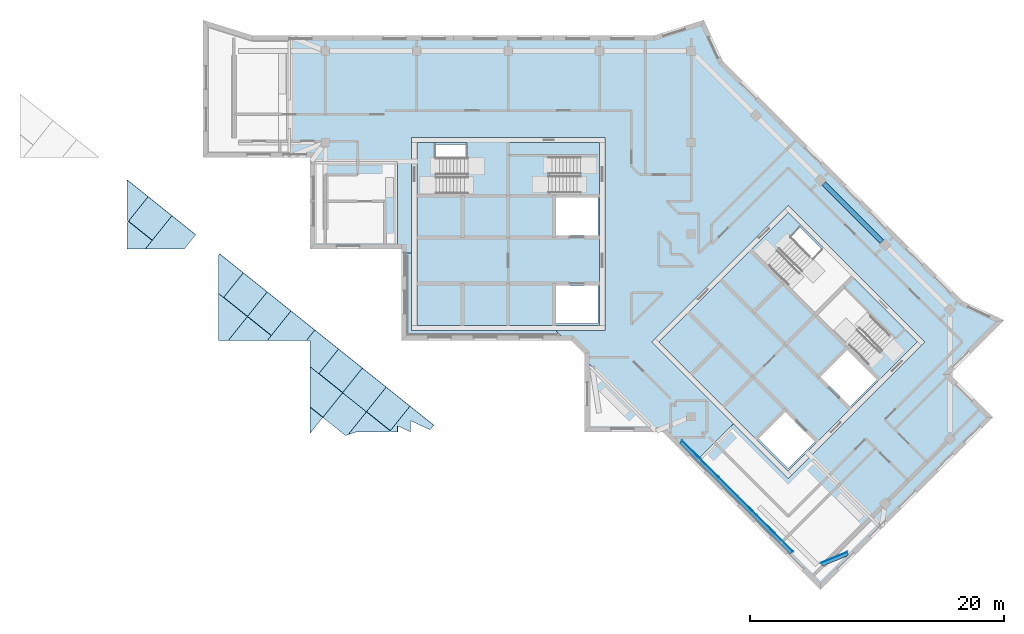
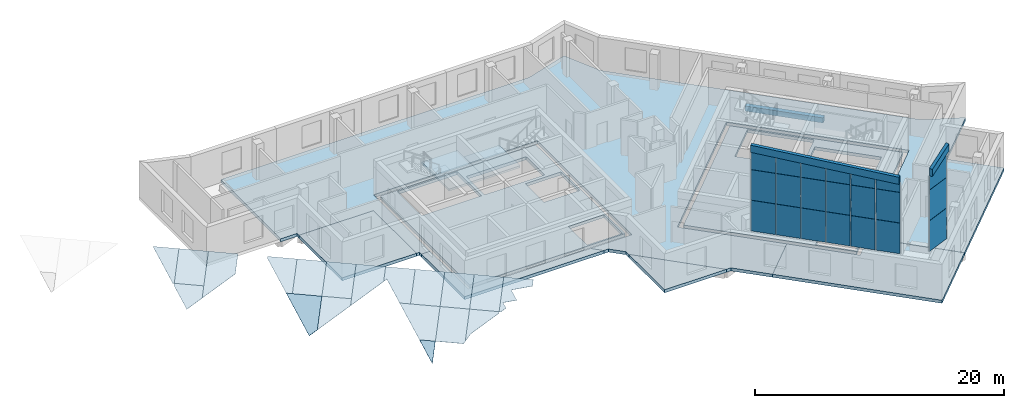
# One storey, part 5 of 13: 42 plates, 9 slabs, 1 beam, 8 openings, 4 elements without a shape of their own.
"""IFC4 building model written with IfcOpenShell, lengths in metres."""

from ifc_helpers import new_model, si_unit, direction, frame, origin, origin_2d, place, context, subcontext, project, spatial, polyline, rectangle, outline, extrude, material, layer, layer_set, material_profile, profile_set, type_object, element, aggregate, save


model = new_model("IFC4")

# Units and contexts
model_context = context("Model", 3, precision=1e-05, world=origin(), true_north=direction((0.0, 1.0)))
body_context = subcontext(model_context, "Body", "Model", "MODEL_VIEW")
ifc_project = project(units=[si_unit("LENGTHUNIT", "METRE"), si_unit("AREAUNIT", "SQUARE_METRE"), si_unit("VOLUMEUNIT", "CUBIC_METRE"), si_unit("PLANEANGLEUNIT", "RADIAN"), si_unit("MASSUNIT", "GRAM", prefix="KILO")], contexts=[model_context])

# Site, building, storey
site_placement = place(None, origin())
site = spatial("IfcSite", under=ifc_project, at=site_placement, CompositionType="ELEMENT")
building_placement = place(site_placement, origin())
building = spatial("IfcBuilding", under=site, at=building_placement, Name="Windrow Commons", CompositionType="ELEMENT")
storey_placement = place(building_placement, frame((0.0, 0.0, 294.4)))
storey = spatial("IfcBuildingStorey", under=building, at=storey_placement, Name="L80", CompositionType="ELEMENT", Elevation=294.4)

# Beam
ifc_material_1 = material(Name="Concrete C40/50", Category="concrete")
ifc_material_profile = material_profile(ifc_material_1, rectangle(XDim=0.4, YDim=0.5, at=origin_2d()))
ifc_profile_set = profile_set([ifc_material_profile], Name="Concrete C40/50")
beam_type = type_object("IfcBeamType", Name="RC EDGE BEAM 400x500 C40/50", PredefinedType="SPANDREL", material=ifc_profile_set)
beam_placement = place(storey_placement, frame((89.6298, 61.5702, -0.55), z_axis=(0.7071067812, -0.7071067812, 0.0), x_axis=(0.7071067812, 0.7071067812, 0.0)))
element("IfcBeam", 1, at=beam_placement, inside=storey, type_object=beam_type, Name="Edge beam L80 011", PredefinedType="SPANDREL", context=body_context, shape_type="SweptSolid", body=[
    extrude(rectangle(XDim=0.4, YDim=0.5, at=origin_2d()), origin(), (0.0, 0.0, 1.0), 6.5),
])

# Slab, openings
ifc_material_2 = material(Name="Concrete C40/50", Category="concrete")
ifc_layer_1 = layer(ifc_material_2, 0.3)
ifc_layer_set_1 = layer_set([ifc_layer_1], Name="CORE FLOOR SLAB 300 C40/50")
slab_type_1 = type_object("IfcSlabType", Name="CORE FLOOR SLAB 300 C40/50", PredefinedType="FLOOR", material=ifc_layer_set_1)
placement_1 = place(storey_placement, frame((0.0, 0.0, -0.3)))
slab_1 = element("IfcSlab", 2, at=placement_1, inside=storey, type_object=slab_type_1, Name="S-L80-core-A", PredefinedType="FLOOR", context=body_context, shape_type="SweptSolid", body=[
    extrude(outline(polyline([(57.6, 64.8), (72.0, 64.8), (72.0, 50.4), (57.6, 50.4), (57.6, 64.8)]), holes=[polyline([(71.85, 50.55), (71.85, 53.55), (68.55, 53.55), (68.55, 50.55), (71.85, 50.55)]), polyline([(71.85, 57.45), (71.85, 60.45), (68.55, 60.45), (68.55, 57.45), (71.85, 57.45)]), polyline([(64.65, 60.75), (64.65, 64.65), (59.1, 64.65), (59.1, 60.75), (64.65, 60.75)]), polyline([(70.5, 60.75), (70.5, 63.705), (64.95, 63.705), (64.95, 60.75), (70.5, 60.75)])]), origin(), (0.0, 0.0, 1.0), 0.3),
])
opening_1_placement = place(placement_1, origin())
element("IfcOpeningElement", 3, at=opening_1_placement, cuts=slab_1, Name="Slab opening S-L80-core-A 1", PredefinedType="OPENING", context=body_context, shape_type="SweptSolid", body=[
    extrude(outline(polyline([(71.845, 50.555), (68.555, 50.555), (68.555, 53.545), (71.845, 53.545), (71.845, 50.555)])), origin(), (0.0, 0.0, 1.0), 0.3),
])
opening_2_placement = place(placement_1, origin())
element("IfcOpeningElement", 4, at=opening_2_placement, cuts=slab_1, Name="Slab opening S-L80-core-A 2", PredefinedType="OPENING", context=body_context, shape_type="SweptSolid", body=[
    extrude(outline(polyline([(71.845, 57.455), (68.555, 57.455), (68.555, 60.445), (71.845, 60.445), (71.845, 57.455)])), origin(), (0.0, 0.0, 1.0), 0.3),
])
opening_3_placement = place(placement_1, origin())
element("IfcOpeningElement", 5, at=opening_3_placement, cuts=slab_1, Name="Slab opening S-L80-core-A 3", PredefinedType="OPENING", context=body_context, shape_type="SweptSolid", body=[
    extrude(outline(polyline([(64.645, 60.755), (59.105, 60.755), (59.105, 64.645), (64.645, 64.645), (64.645, 60.755)])), origin(), (0.0, 0.0, 1.0), 0.3),
])
opening_4_placement = place(placement_1, origin())
element("IfcOpeningElement", 6, at=opening_4_placement, cuts=slab_1, Name="Slab opening S-L80-core-A 4", PredefinedType="OPENING", context=body_context, shape_type="SweptSolid", body=[
    extrude(outline(polyline([(70.495, 60.755), (64.955, 60.755), (64.955, 63.7), (70.495, 63.7), (70.495, 60.755)])), origin(), (0.0, 0.0, 1.0), 0.3),
])

slab_2 = element("IfcSlab", 7, at=placement_1, inside=storey, type_object=slab_type_1, Name="S-L80-core-B", PredefinedType="FLOOR", context=body_context, shape_type="SweptSolid", body=[
    extrude(outline(polyline([(86.8368, 59.2721), (97.0191, 49.0897), (86.8368, 38.9074), (76.6544, 49.0897), (86.8368, 59.2721)]), holes=[polyline([(86.8368, 39.1195), (88.9581, 41.2409), (86.6246, 43.5743), (84.5033, 41.453), (86.8368, 39.1195)]), polyline([(91.7158, 43.9986), (93.8371, 46.1199), (91.5037, 48.4533), (89.3823, 46.332), (91.7158, 43.9986)]), polyline([(88.9581, 51.4232), (91.7158, 54.1809), (87.7913, 58.1054), (85.0336, 55.3476), (88.9581, 51.4232)]), polyline([(93.0946, 47.2866), (95.1841, 49.3761), (91.2597, 53.3006), (89.1702, 51.2111), (93.0946, 47.2866)])]), origin(), (0.0, 0.0, 1.0), 0.3),
])
opening_5_placement = place(placement_1, origin())
element("IfcOpeningElement", 8, at=opening_5_placement, cuts=slab_2, Name="Slab opening S-L80-core-B 1", PredefinedType="OPENING", context=body_context, shape_type="SweptSolid", body=[
    extrude(outline(polyline([(86.8368, 39.1266), (84.5104, 41.453), (86.6246, 43.5672), (88.951, 41.2409), (86.8368, 39.1266)])), origin(), (0.0, 0.0, 1.0), 0.3),
])
opening_6_placement = place(placement_1, origin())
element("IfcOpeningElement", 9, at=opening_6_placement, cuts=slab_2, Name="Slab opening S-L80-core-B 2", PredefinedType="OPENING", context=body_context, shape_type="SweptSolid", body=[
    extrude(outline(polyline([(91.7158, 44.0057), (89.3894, 46.332), (91.5037, 48.4462), (93.83, 46.1199), (91.7158, 44.0057)])), origin(), (0.0, 0.0, 1.0), 0.3),
])
opening_7_placement = place(placement_1, origin())
element("IfcOpeningElement", 10, at=opening_7_placement, cuts=slab_2, Name="Slab opening S-L80-core-B 3", PredefinedType="OPENING", context=body_context, shape_type="SweptSolid", body=[
    extrude(outline(polyline([(88.9581, 51.4303), (85.0407, 55.3476), (87.7913, 58.0983), (91.7087, 54.1809), (88.9581, 51.4303)])), origin(), (0.0, 0.0, 1.0), 0.3),
])
opening_8_placement = place(placement_1, origin())
element("IfcOpeningElement", 11, at=opening_8_placement, cuts=slab_2, Name="Slab opening S-L80-core-B 4", PredefinedType="OPENING", context=body_context, shape_type="SweptSolid", body=[
    extrude(outline(polyline([(93.0946, 47.2937), (89.1773, 51.2111), (91.2597, 53.2935), (95.177, 49.3761), (93.0946, 47.2937)])), origin(), (0.0, 0.0, 1.0), 0.3),
])

# Stair, slab
ifc_material_3 = material(Name="Concrete C40/50", Category="concrete")
stair_type = type_object("IfcStairType", Name="Core stair", PredefinedType="HALF_TURN_STAIR", material=ifc_material_3)
placement_2 = place(storey_placement, origin())
stair_1 = element("IfcStair", 12, at=placement_2, inside=storey, type_object=stair_type, Name="L80 Exit stair A1 core A", PredefinedType="HALF_TURN_STAIR")
ifc_material_4 = material(Name="Concrete C40/50", Category="concrete")
ifc_layer_2 = layer(ifc_material_4, 0.2)
ifc_layer_set_2 = layer_set([ifc_layer_2], Name="Core stair landing")
slab_type_2 = type_object("IfcSlabType", Name="Core stair landing", PredefinedType="LANDING", material=ifc_layer_set_2)
placement_3 = place(storey_placement, frame((0.0, 0.0, 1.7)))
slab_3 = element("IfcSlab", 13, at=placement_3, type_object=slab_type_2, Name="ST-A1 landing 1", PredefinedType="LANDING", context=body_context, shape_type="SweptSolid", body=[
    extrude(outline(polyline([(61.5, 60.5), (64.8, 60.5), (64.8, 64.9), (61.5, 64.9), (61.5, 60.5)])), origin(), (0.0, 0.0, 1.0), 0.2),
])
aggregate(stair_1, [slab_3])

stair_2 = element("IfcStair", 14, at=placement_2, inside=storey, type_object=stair_type, Name="L80 Exit stair A2 core A", PredefinedType="HALF_TURN_STAIR")
slab_4 = element("IfcSlab", 15, at=placement_3, type_object=slab_type_2, Name="ST-A2 landing 1", PredefinedType="LANDING", context=body_context, shape_type="SweptSolid", body=[
    extrude(outline(polyline([(64.8, 60.5), (68.1, 60.5), (68.1, 63.855), (64.8, 63.855), (64.8, 60.5)])), origin(), (0.0, 0.0, 1.0), 0.2),
])
aggregate(stair_2, [slab_4])

# Plates
ifc_material_5 = material(Name="Precast concrete C40/50", Category="concrete")
ifc_layer_3 = layer(ifc_material_5, 0.3)
ifc_layer_set_3 = layer_set([ifc_layer_3], Name="Crown eave fascia 300")
plate_type_1 = type_object("IfcPlateType", Name="Crown eave fascia 300", PredefinedType="SHEET", material=ifc_layer_set_3)
plate_1_placement = place(storey_placement, frame((91.4598, 32.5549, 12.2294), z_axis=(-0.3826477122, 0.9238943275, 0.0), x_axis=(-0.7954192872, -0.3294374274, -0.50870339)))
element("IfcPlate", 16, at=plate_1_placement, inside=storey, type_object=plate_type_1, Name="Crown eave fascia", PredefinedType="SHEET", context=body_context, shape_type="SweptSolid", body=[
    extrude(outline(polyline([(0.0, 0.0), (2.5537, 0.0), (2.1977, 0.6027), (-0.3561, 0.6027), (0.0, 0.0)])), origin(), (0.0, 0.0, -1.0), 0.3),
])
plate_2_placement = place(storey_placement, frame((87.2233, 32.6094, 10.473), z_axis=(0.7071067812, 0.7071067812, 0.0), x_axis=(-0.7051533773, 0.7051533773, 0.0742793982)))
element("IfcPlate", 17, at=plate_2_placement, inside=storey, type_object=plate_type_1, Name="Crown eave fascia", PredefinedType="SHEET", context=body_context, shape_type="SweptSolid", body=[
    extrude(outline(polyline([(0.0, 0.0), (12.3776, 0.0), (12.4296, 0.6981), (0.052, 0.6981), (0.0, 0.0)])), origin(), (0.0, 0.0, -1.0), 0.3),
])
ifc_material_6 = material(Name="Laminated glass in aluminium frame", Category="aluminium")
ifc_layer_4 = layer(ifc_material_6, 0.04)
ifc_layer_set_4 = layer_set([ifc_layer_4], Name="Crown glazing panel 2400x3000")
plate_type_2 = type_object("IfcPlateType", Name="Crown glazing panel 2400x3000", PredefinedType="SHEET", material=ifc_layer_set_4)
plate_3_placement = place(storey_placement, frame((49.2, 43.9521, 1.4754), z_axis=(-0.3493458379, -0.4366606741, 0.8290265022), x_axis=(0.7808537194, -0.6247139096, 0.0)))
element("IfcPlate", 18, at=plate_3_placement, inside=storey, type_object=plate_type_2, Name="Crown glazing 2", PredefinedType="SHEET", context=body_context, shape_type="SweptSolid", body=[
    extrude(outline(polyline([(0.0, 0.0), (1.2931, 0.0), (1.2932, -1.9497), (0.0, 0.0)])), origin(), (0.0, 0.0, -1.0), 0.04),
])
plate_4_placement = place(storey_placement, frame((52.8236, 42.0, 1.9741), z_axis=(-0.3493187645, -0.4366785165, 0.8290285121), x_axis=(-0.8229837273, -0.2800066703, -0.4942611144)))
element("IfcPlate", 19, at=plate_4_placement, inside=storey, type_object=plate_type_2, Name="Crown glazing 3", PredefinedType="SHEET", context=body_context, shape_type="SweptSolid", body=[
    extrude(outline(polyline([(0.0, 0.0), (0.761, 0.0), (-1.6969, -1.3006), (-2.8194, 0.8207), (-2.6995, 0.8841), (0.0, 0.0)])), origin(), (0.0, 0.0, -1.0), 0.04),
])
plate_5_placement = place(storey_placement, frame((51.9933, 41.7175, 1.4754), z_axis=(-0.3493386062, -0.4366588504, 0.82903051), x_axis=(-0.7808774078, 0.6246842991, -2.01408e-05)))
element("IfcPlate", 20, at=plate_5_placement, inside=storey, type_object=plate_type_2, Name="Crown glazing 4", PredefinedType="SHEET", context=body_context, shape_type="SweptSolid", body=[
    extrude(outline(polyline([(0.0, 0.0), (2.2841, 0.0), (2.284, -3.0), (-0.116, -2.9999), (-0.1159, -0.2191), (0.0, 0.0)])), origin(), (0.0, 0.0, -1.0), 0.04),
])
plate_6_placement = place(storey_placement, frame((42.7603, 49.2, 1.5261), z_axis=(-0.349317541, -0.4366525438, 0.8290427079), x_axis=(0.5178988739, 0.6473735923, 0.5591852899)))
element("IfcPlate", 21, at=plate_6_placement, inside=storey, type_object=plate_type_2, Name="Crown glazing 5", PredefinedType="SHEET", context=body_context, shape_type="SweptSolid", body=[
    extrude(outline(polyline([(0.0, 0.0), (2.9094, 0.0), (2.9094, -2.4), (2.3159, -2.4), (0.0, 0.0)])), origin(), (0.0, 0.0, -1.0), 0.04),
])
plate_7_placement = place(storey_placement, frame((34.8, 56.4, 1.9641), z_axis=(-0.3493539663, -0.4366762269, 0.8290148847), x_axis=(-7.4623e-06, 0.8847643728, 0.4660386299)))
element("IfcPlate", 22, at=plate_7_placement, inside=storey, type_object=plate_type_2, Name="Crown glazing 6", PredefinedType="SHEET", context=body_context, shape_type="SweptSolid", body=[
    extrude(outline(polyline([(0.0, 0.0), (2.3271, 0.0), (2.4827, -0.1032), (1.1561, -2.1032), (0.2801, -1.5222), (0.0, 0.0)])), origin(), (0.0, 0.0, -1.0), 0.04),
])
plate_8_placement = place(storey_placement, frame((57.1, 42.8898, 4.2447), z_axis=(-0.3493016675, -0.4366241314, 0.82906436), x_axis=(-4.36209e-05, -0.8847898885, -0.4659901837)))
element("IfcPlate", 23, at=plate_8_placement, inside=storey, type_object=plate_type_2, Name="Crown glazing 8", PredefinedType="SHEET", context=body_context, shape_type="SweptSolid", body=[
    extrude(outline(polyline([(0.0, 0.0), (0.9968, 0.0), (0.6686, -1.0672), (1.2021, -1.0672), (1.2961, -1.578), (1.2184, -1.6952), (-1.2818, -0.0371), (0.0447, 1.963), (0.509, 1.6551), (0.0, 0.0)])), origin(), (0.0, 0.0, -1.0), 0.04),
])
plate_9_placement = place(storey_placement, frame((55.5116, 42.0878, 3.153), z_axis=(-0.3493056165, -0.4366407577, 0.8290539397), x_axis=(-0.780867922, 0.6246961569, 7.5415e-06)))
element("IfcPlate", 24, at=plate_9_placement, inside=storey, type_object=plate_type_2, Name="Crown glazing 9", PredefinedType="SHEET", context=body_context, shape_type="SweptSolid", body=[
    extrude(outline(polyline([(0.0, 0.0), (2.4, 0.0), (2.4, -3.0), (0.0001, -3.0), (0.0, 0.0)])), origin(), (0.0, 0.0, -1.0), 0.04),
])
plate_10_placement = place(storey_placement, frame((53.6375, 43.5871, 3.153), z_axis=(-0.3493164888, -0.4366397863, 0.8290498704), x_axis=(-0.7808647444, 0.6247001288, 0.0)))
element("IfcPlate", 25, at=plate_10_placement, inside=storey, type_object=plate_type_2, Name="Crown glazing 10", PredefinedType="SHEET", context=body_context, shape_type="SweptSolid", body=[
    extrude(outline(polyline([(0.0, 0.0), (2.4, 0.0), (2.4, -3.0), (0.0, -3.0), (0.0, 0.0)])), origin(), (0.0, 0.0, -1.0), 0.04),
])
plate_11_placement = place(storey_placement, frame((51.7634, 45.0864, 3.153), z_axis=(-0.3493056165, -0.4366407577, 0.8290539397), x_axis=(-0.780881892, 0.6246786939, -7.5417e-06)))
element("IfcPlate", 26, at=plate_11_placement, inside=storey, type_object=plate_type_2, Name="Crown glazing 11", PredefinedType="SHEET", context=body_context, shape_type="SweptSolid", body=[
    extrude(outline(polyline([(0.0, 0.0), (2.4, 0.0), (2.4, -3.0), (-0.0001, -3.0), (0.0, 0.0)])), origin(), (0.0, 0.0, -1.0), 0.04),
])
plate_12_placement = place(storey_placement, frame((49.2, 47.1371, 3.153), z_axis=(-0.3493071082, -0.4366422722, 0.8290525136), x_axis=(2.429e-06, 0.8847863173, 0.4659969665)))
element("IfcPlate", 27, at=plate_12_placement, inside=storey, type_object=plate_type_2, Name="Crown glazing 12", PredefinedType="SHEET", context=body_context, shape_type="SweptSolid", body=[
    extrude(outline(polyline([(0.0, 0.0), (2.3315, 0.0), (2.2741, 0.3124), (3.3387, -0.3937), (2.0122, -2.3938), (-0.488, -0.7357), (0.0, 0.0)])), origin(), (0.0, 0.0, -1.0), 0.04),
])
plate_13_placement = place(storey_placement, frame((46.1412, 49.5842, 3.153), z_axis=(-0.3493164888, -0.4366397863, 0.8290498704), x_axis=(-0.7808647444, 0.6247001288, 0.0)))
element("IfcPlate", 28, at=plate_13_placement, inside=storey, type_object=plate_type_2, Name="Crown glazing 13", PredefinedType="SHEET", context=body_context, shape_type="SweptSolid", body=[
    extrude(outline(polyline([(0.0, 0.0), (2.4, 0.0), (2.4, -3.0), (0.0, -3.0), (0.0, 0.0)])), origin(), (0.0, 0.0, -1.0), 0.04),
])
plate_14_placement = place(storey_placement, frame((44.2671, 51.0835, 3.153), z_axis=(-0.349302282, -0.4366511518, 0.8290498703), x_axis=(-0.7808850696, 0.6246747219, 0.0)))
element("IfcPlate", 29, at=plate_14_placement, inside=storey, type_object=plate_type_2, Name="Crown glazing 14", PredefinedType="SHEET", context=body_context, shape_type="SweptSolid", body=[
    extrude(outline(polyline([(0.0, 0.0), (2.4, 0.0), (2.3999, -3.0), (-0.0001, -3.0), (0.0, 0.0)])), origin(), (0.0, 0.0, -1.0), 0.04),
])
plate_15_placement = place(storey_placement, frame((42.0, 55.9333, 4.7522), z_axis=(-0.3492814527, -0.4366465046, 0.8290610935), x_axis=(0.5177363477, 0.6475271279, 0.5591580214)))
element("IfcPlate", 30, at=plate_15_placement, inside=storey, type_object=plate_type_2, Name="Crown glazing 15", PredefinedType="SHEET", context=body_context, shape_type="SweptSolid", body=[
    extrude(outline(polyline([(0.0, 0.0), (0.1402, 0.0), (0.1396, -2.4), (-2.8603, -2.3993), (-2.8602, -1.8961), (0.0, 0.0)])), origin(), (0.0, 0.0, -1.0), 0.04),
])
plate_16_placement = place(storey_placement, frame((36.7707, 57.0805, 3.153), z_axis=(-0.3493251869, -0.4366390092, 0.8290466148), x_axis=(-0.7808510258, 0.6247172765, 6.0336e-06)))
element("IfcPlate", 31, at=plate_16_placement, inside=storey, type_object=plate_type_2, Name="Crown glazing 17", PredefinedType="SHEET", context=body_context, shape_type="SweptSolid", body=[
    extrude(outline(polyline([(0.0, 0.0), (2.4, 0.0), (2.4001, -2.9999), (0.0001, -3.0), (0.0, 0.0)])), origin(), (0.0, 0.0, -1.0), 0.04),
])
plate_17_placement = place(storey_placement, frame((34.8, 61.8422, 4.8305), z_axis=(-0.3493151551, -0.4366439439, 0.8290482427), x_axis=(0.7808592909, -0.6247069455, -1.0277e-05)))
element("IfcPlate", 32, at=plate_17_placement, inside=storey, type_object=plate_type_2, Name="Crown glazing 18", PredefinedType="SHEET", context=body_context, shape_type="SweptSolid", body=[
    extrude(outline(polyline([(0.0, 0.0), (2.1135, 0.0), (2.1136, -2.9999), (1.9898, -2.9999), (0.0, 0.0)])), origin(), (0.0, 0.0, -1.0), 0.04),
])
plate_18_placement = place(storey_placement, frame((50.2097, 43.1443, 1.4754), z_axis=(-0.3493320391, -0.4366619937, 0.8290316217), x_axis=(-0.7808577714, 0.6247088447, 9.6161e-06)))
element("IfcPlate", 33, at=plate_18_placement, inside=storey, type_object=plate_type_2, Name="Crown glazing 333", PredefinedType="SHEET", context=body_context, shape_type="SweptSolid", body=[
    extrude(outline(polyline([(0.0, 0.0), (1.2931, 0.0), (3.2828, -2.9999), (0.0, -3.0), (0.0, 0.0)])), origin(), (0.0, 0.0, -1.0), 0.04),
])
plate_19_placement = place(storey_placement, frame((45.8338, 49.2, 2.8211), z_axis=(-0.3493350821, -0.4366262599, 0.8290491599), x_axis=(0.5179130856, 0.6473704856, 0.5591757239)))
element("IfcPlate", 34, at=plate_19_placement, inside=storey, type_object=plate_type_2, Name="Crown glazing 334", PredefinedType="SHEET", context=body_context, shape_type="SweptSolid", body=[
    extrude(outline(polyline([(0.0, 0.0), (3.5935, 0.0), (3.5934, -2.4), (2.316, -2.4), (0.0, 0.0)])), origin(), (0.0, 0.0, -1.0), 0.04),
])
plate_20_placement = place(storey_placement, frame((42.7603, 49.2, 1.5261), z_axis=(-0.3493230122, -0.4366542999, 0.8290394777), x_axis=(-0.9215310747, -1.79744e-05, -0.3883046201)))
element("IfcPlate", 35, at=plate_20_placement, inside=storey, type_object=plate_type_2, Name="Crown glazing 335", PredefinedType="SHEET", context=body_context, shape_type="SweptSolid", body=[
    extrude(outline(polyline([(0.0, 0.0), (0.8251, 0.0), (0.0688, -4.1096), (-2.0203, -2.0936), (0.0, 0.0)])), origin(), (0.0, 0.0, -1.0), 0.04),
])
plate_21_placement = place(storey_placement, frame((36.2263, 56.4, 2.5651), z_axis=(-0.3493238819, -0.4366471508, 0.8290428766), x_axis=(0.5179019895, 0.6473713158, 0.5591850398)))
element("IfcPlate", 36, at=plate_21_placement, inside=storey, type_object=plate_type_2, Name="Crown glazing 336", PredefinedType="SHEET", context=body_context, shape_type="SweptSolid", body=[
    extrude(outline(polyline([(0.0, 0.0), (4.0512, 0.0), (4.0512, -2.4), (2.316, -2.4), (0.0, 0.0)])), origin(), (0.0, 0.0, -1.0), 0.04),
])

# Curtain wall, plates
ifc_material_7 = material(Name="Laminated glass in anodised aluminium frame", Category="aluminium")
curtain_wall_type = type_object("IfcCurtainWallType", Name="Curtain wall crown terrace screen", PredefinedType="USERDEFINED", material=ifc_material_7)
curtain_wall_1 = element("IfcCurtainWall", 37, at=placement_2, inside=storey, type_object=curtain_wall_type, Name="Glazed crown screen L80", ObjectType="STICK", PredefinedType="USERDEFINED")
ifc_material_8 = material(Name="Laminated glass in aluminium frame", Category="aluminium")
ifc_layer_5 = layer(ifc_material_8, 0.03)
ifc_layer_set_5 = layer_set([ifc_layer_5], Name="Crown screen glazing 2400")
plate_type_3 = type_object("IfcPlateType", Name="Crown screen glazing 2400", PredefinedType="SHEET", material=ifc_layer_set_5)
plate_22_placement = place(storey_placement, frame((91.4783, 32.5626, 3.5), z_axis=(-0.3826766034, 0.9238823611, 0.0), x_axis=(-0.9238823611, -0.3826766034, 0.0)))
plate_22 = element("IfcPlate", 38, at=plate_22_placement, type_object=plate_type_3, Name="Crown screen glazing L80", PredefinedType="SHEET", context=body_context, shape_type="SweptSolid", body=[
    extrude(outline(polyline([(0.0, 0.0), (2.2387, 0.0), (2.2387, 3.0), (0.0, 3.0), (0.0, 0.0)])), origin(), (0.0, 0.0, -1.0), 0.03),
])
plate_23_placement = place(storey_placement, frame((91.4783, 32.5626, 6.52), z_axis=(-0.3826766034, 0.9238823611, 0.0), x_axis=(-0.9238823611, -0.3826766034, 0.0)))
plate_23 = element("IfcPlate", 39, at=plate_23_placement, type_object=plate_type_3, Name="Crown screen glazing L80", PredefinedType="SHEET", context=body_context, shape_type="SweptSolid", body=[
    extrude(outline(polyline([(0.0, 0.0), (2.2387, 0.0), (2.2387, 2.98), (0.0, 2.98), (0.0, 0.0)])), origin(), (0.0, 0.0, -1.0), 0.03),
])
plate_24_placement = place(storey_placement, frame((91.4783, 32.5626, 9.52), z_axis=(-0.3826766034, 0.9238823611, 0.0), x_axis=(-0.9238823611, -0.3826766034, 0.0)))
plate_24 = element("IfcPlate", 40, at=plate_24_placement, type_object=plate_type_3, Name="Crown screen glazing L80", PredefinedType="SHEET", context=body_context, shape_type="SweptSolid", body=[
    extrude(outline(polyline([(0.0, 0.0), (2.2387, 0.0), (2.2387, 1.3608), (0.0, 2.7189), (0.0, 0.0)])), origin(), (0.0, 0.0, -1.0), 0.03),
])
aggregate(curtain_wall_1, [plate_22, plate_23, plate_24])

curtain_wall_2 = element("IfcCurtainWall", 41, at=placement_2, inside=storey, type_object=curtain_wall_type, Name="Glazed crown screen L80", ObjectType="STICK", PredefinedType="USERDEFINED")
plate_25_placement = place(storey_placement, frame((87.2374, 32.5953, 3.5), z_axis=(0.7071067812, 0.7071067812, 0.0), x_axis=(-0.7071067812, 0.7071067812, 0.0)))
plate_25 = element("IfcPlate", 42, at=plate_25_placement, type_object=plate_type_3, Name="Crown screen glazing L80", PredefinedType="SHEET", context=body_context, shape_type="SweptSolid", body=[
    extrude(outline(polyline([(0.0, 0.0), (2.0138, 0.0), (2.0138, 3.0), (0.0, 3.0), (0.0, 0.0)])), origin(), (0.0, 0.0, -1.0), 0.03),
])
plate_26_placement = place(storey_placement, frame((87.2374, 32.5953, 6.52), z_axis=(0.7071067812, 0.7071067812, 0.0), x_axis=(-0.7071067812, 0.7071067812, 0.0)))
plate_26 = element("IfcPlate", 43, at=plate_26_placement, type_object=plate_type_3, Name="Crown screen glazing L80", PredefinedType="SHEET", context=body_context, shape_type="SweptSolid", body=[
    extrude(outline(polyline([(0.0, 0.0), (2.0138, 0.0), (2.0138, 2.98), (0.0, 2.98), (0.0, 0.0)])), origin(), (0.0, 0.0, -1.0), 0.03),
])
plate_27_placement = place(storey_placement, frame((87.2374, 32.5953, 9.52), z_axis=(0.7071067812, 0.7071067812, 0.0), x_axis=(-0.7071067812, 0.7071067812, 0.0)))
plate_27 = element("IfcPlate", 44, at=plate_27_placement, type_object=plate_type_3, Name="Crown screen glazing L80", PredefinedType="SHEET", context=body_context, shape_type="SweptSolid", body=[
    extrude(outline(polyline([(0.0, 0.0), (2.0138, 0.0), (2.0138, 1.0837), (0.0, 0.9292), (0.0, 0.0)])), origin(), (0.0, 0.0, -1.0), 0.03),
])
plate_28_placement = place(storey_placement, frame((85.771, 34.0617, 3.5), z_axis=(0.7071067812, 0.7071067812, 0.0), x_axis=(-0.7071067812, 0.7071067812, 0.0)))
plate_28 = element("IfcPlate", 45, at=plate_28_placement, type_object=plate_type_3, Name="Crown screen glazing L80", PredefinedType="SHEET", context=body_context, shape_type="SweptSolid", body=[
    extrude(outline(polyline([(0.0, 0.0), (2.014, 0.0), (2.014, 3.0), (0.0, 3.0), (0.0, 0.0)])), origin(), (0.0, 0.0, -1.0), 0.03),
])
plate_29_placement = place(storey_placement, frame((85.771, 34.0617, 6.52), z_axis=(0.7071067812, 0.7071067812, 0.0), x_axis=(-0.7071067812, 0.7071067812, 0.0)))
plate_29 = element("IfcPlate", 46, at=plate_29_placement, type_object=plate_type_3, Name="Crown screen glazing L80", PredefinedType="SHEET", context=body_context, shape_type="SweptSolid", body=[
    extrude(outline(polyline([(0.0, 0.0), (2.014, 0.0), (2.014, 2.98), (0.0, 2.98), (0.0, 0.0)])), origin(), (0.0, 0.0, -1.0), 0.03),
])
plate_30_placement = place(storey_placement, frame((85.771, 34.0617, 9.52), z_axis=(0.7071067812, 0.7071067812, 0.0), x_axis=(-0.7071067812, 0.7071067812, 0.0)))
plate_30 = element("IfcPlate", 47, at=plate_30_placement, type_object=plate_type_3, Name="Crown screen glazing L80", PredefinedType="SHEET", context=body_context, shape_type="SweptSolid", body=[
    extrude(outline(polyline([(0.0, 0.0), (2.014, 0.0), (2.014, 1.2382), (0.0, 1.0837), (0.0, 0.0)])), origin(), (0.0, 0.0, -1.0), 0.03),
])
plate_31_placement = place(storey_placement, frame((84.3045, 35.5282, 3.5), z_axis=(0.7071067812, 0.7071067812, 0.0), x_axis=(-0.7071067812, 0.7071067812, 0.0)))
plate_31 = element("IfcPlate", 48, at=plate_31_placement, type_object=plate_type_3, Name="Crown screen glazing L80", PredefinedType="SHEET", context=body_context, shape_type="SweptSolid", body=[
    extrude(outline(polyline([(0.0, 0.0), (2.0138, 0.0), (2.0138, 3.0), (0.0, 3.0), (0.0, 0.0)])), origin(), (0.0, 0.0, -1.0), 0.03),
])
plate_32_placement = place(storey_placement, frame((84.3045, 35.5282, 6.52), z_axis=(0.7071067812, 0.7071067812, 0.0), x_axis=(-0.7071067812, 0.7071067812, 0.0)))
plate_32 = element("IfcPlate", 49, at=plate_32_placement, type_object=plate_type_3, Name="Crown screen glazing L80", PredefinedType="SHEET", context=body_context, shape_type="SweptSolid", body=[
    extrude(outline(polyline([(0.0, 0.0), (2.0138, 0.0), (2.0138, 2.98), (0.0, 2.98), (0.0, 0.0)])), origin(), (0.0, 0.0, -1.0), 0.03),
])
plate_33_placement = place(storey_placement, frame((84.3045, 35.5282, 9.52), z_axis=(0.7071067812, 0.7071067812, 0.0), x_axis=(-0.7071067812, 0.7071067812, 0.0)))
plate_33 = element("IfcPlate", 50, at=plate_33_placement, type_object=plate_type_3, Name="Crown screen glazing L80", PredefinedType="SHEET", context=body_context, shape_type="SweptSolid", body=[
    extrude(outline(polyline([(0.0, 0.0), (2.0138, 0.0), (2.0138, 1.3927), (0.0, 1.2382), (0.0, 0.0)])), origin(), (0.0, 0.0, -1.0), 0.03),
])
plate_34_placement = place(storey_placement, frame((82.838, 36.9947, 3.5), z_axis=(0.7071067812, 0.7071067812, 0.0), x_axis=(-0.7071067812, 0.7071067812, 0.0)))
plate_34 = element("IfcPlate", 51, at=plate_34_placement, type_object=plate_type_3, Name="Crown screen glazing L80", PredefinedType="SHEET", context=body_context, shape_type="SweptSolid", body=[
    extrude(outline(polyline([(0.0, 0.0), (2.0138, 0.0), (2.0138, 3.0), (0.0, 3.0), (0.0, 0.0)])), origin(), (0.0, 0.0, -1.0), 0.03),
])
plate_35_placement = place(storey_placement, frame((82.838, 36.9947, 6.52), z_axis=(0.7071067812, 0.7071067812, 0.0), x_axis=(-0.7071067812, 0.7071067812, 0.0)))
plate_35 = element("IfcPlate", 52, at=plate_35_placement, type_object=plate_type_3, Name="Crown screen glazing L80", PredefinedType="SHEET", context=body_context, shape_type="SweptSolid", body=[
    extrude(outline(polyline([(0.0, 0.0), (2.0138, 0.0), (2.0138, 2.98), (0.0, 2.98), (0.0, 0.0)])), origin(), (0.0, 0.0, -1.0), 0.03),
])
plate_36_placement = place(storey_placement, frame((82.838, 36.9947, 9.52), z_axis=(0.7071067812, 0.7071067812, 0.0), x_axis=(-0.7071067812, 0.7071067812, 0.0)))
plate_36 = element("IfcPlate", 53, at=plate_36_placement, type_object=plate_type_3, Name="Crown screen glazing L80", PredefinedType="SHEET", context=body_context, shape_type="SweptSolid", body=[
    extrude(outline(polyline([(0.0, 0.0), (2.0138, 0.0), (2.0138, 1.5471), (0.0, 1.3927), (0.0, 0.0)])), origin(), (0.0, 0.0, -1.0), 0.03),
])
plate_37_placement = place(storey_placement, frame((81.3716, 38.4611, 3.5), z_axis=(0.7071316081, 0.7070819534, 0.0), x_axis=(-0.7070819534, 0.7071316081, 0.0)))
plate_37 = element("IfcPlate", 54, at=plate_37_placement, type_object=plate_type_3, Name="Crown screen glazing L80", PredefinedType="SHEET", context=body_context, shape_type="SweptSolid", body=[
    extrude(outline(polyline([(0.0, 0.0), (2.0139, 0.0), (2.0139, 3.0), (0.0, 3.0), (0.0, 0.0)])), origin(), (0.0, 0.0, -1.0), 0.03),
])
plate_38_placement = place(storey_placement, frame((81.3716, 38.4611, 6.52), z_axis=(0.7071316081, 0.7070819534, 0.0), x_axis=(-0.7070819534, 0.7071316081, 0.0)))
plate_38 = element("IfcPlate", 55, at=plate_38_placement, type_object=plate_type_3, Name="Crown screen glazing L80", PredefinedType="SHEET", context=body_context, shape_type="SweptSolid", body=[
    extrude(outline(polyline([(0.0, 0.0), (2.0139, 0.0), (2.0139, 2.98), (0.0, 2.98), (0.0, 0.0)])), origin(), (0.0, 0.0, -1.0), 0.03),
])
plate_39_placement = place(storey_placement, frame((81.3716, 38.4611, 9.52), z_axis=(0.7071316081, 0.7070819534, 0.0), x_axis=(-0.7070819534, 0.7071316081, 0.0)))
plate_39 = element("IfcPlate", 56, at=plate_39_placement, type_object=plate_type_3, Name="Crown screen glazing L80", PredefinedType="SHEET", context=body_context, shape_type="SweptSolid", body=[
    extrude(outline(polyline([(0.0, 0.0), (2.0139, 0.0), (2.0139, 1.7016), (0.0, 1.5471), (0.0, 0.0)])), origin(), (0.0, 0.0, -1.0), 0.03),
])
plate_40_placement = place(storey_placement, frame((79.9051, 39.9276, 3.5), z_axis=(0.7071067812, 0.7071067812, 0.0), x_axis=(-0.7071067812, 0.7071067812, 0.0)))
plate_40 = element("IfcPlate", 57, at=plate_40_placement, type_object=plate_type_3, Name="Crown screen glazing L80", PredefinedType="SHEET", context=body_context, shape_type="SweptSolid", body=[
    extrude(outline(polyline([(0.0, 0.0), (2.0138, 0.0), (2.0138, 3.0), (0.0, 3.0), (0.0, 0.0)])), origin(), (0.0, 0.0, -1.0), 0.03),
])
plate_41_placement = place(storey_placement, frame((79.9051, 39.9276, 6.52), z_axis=(0.7071067812, 0.7071067812, 0.0), x_axis=(-0.7071067812, 0.7071067812, 0.0)))
plate_41 = element("IfcPlate", 58, at=plate_41_placement, type_object=plate_type_3, Name="Crown screen glazing L80", PredefinedType="SHEET", context=body_context, shape_type="SweptSolid", body=[
    extrude(outline(polyline([(0.0, 0.0), (2.0138, 0.0), (2.0138, 2.98), (0.0, 2.98), (0.0, 0.0)])), origin(), (0.0, 0.0, -1.0), 0.03),
])
plate_42_placement = place(storey_placement, frame((79.9051, 39.9276, 9.52), z_axis=(0.7071067812, 0.7071067812, 0.0), x_axis=(-0.7071067812, 0.7071067812, 0.0)))
plate_42 = element("IfcPlate", 59, at=plate_42_placement, type_object=plate_type_3, Name="Crown screen glazing L80", PredefinedType="SHEET", context=body_context, shape_type="SweptSolid", body=[
    extrude(outline(polyline([(0.0, 0.0), (2.0138, 0.0), (2.0138, 1.8561), (0.0, 1.7016), (0.0, 0.0)])), origin(), (0.0, 0.0, -1.0), 0.03),
])
aggregate(curtain_wall_2, [plate_25, plate_26, plate_27, plate_28, plate_29, plate_30, plate_31, plate_32, plate_33, plate_34, plate_35, plate_36, plate_37, plate_38, plate_39, plate_40, plate_41, plate_42])

# Slabs
ifc_material_9 = material(Name="Concrete C40/50", Category="concrete")
ifc_layer_6 = layer(ifc_material_9, 0.3)
ifc_layer_set_6 = layer_set([ifc_layer_6], Name="FLOOR SLAB 300 C40/50")
slab_type_3 = type_object("IfcSlabType", Name="FLOOR SLAB 300 C40/50", PredefinedType="FLOOR", material=ifc_layer_set_6)
element("IfcSlab", 60, at=placement_1, inside=storey, type_object=slab_type_3, Name="S-L80-floor", PredefinedType="FLOOR", context=body_context, shape_type="SweptSolid", body=[
    extrude(outline(polyline([(69.7559, 49.2), (70.8, 48.1559), (70.8, 47.7316), (76.5316, 42.0), (76.9559, 42.0), (79.4121, 39.5438), (82.5234, 42.6551), (76.0887, 49.0897), (86.8368, 59.8378), (97.5848, 49.0897), (88.6045, 40.1095), (94.2614, 34.4526), (102.9588, 43.15), (99.5647, 46.5442), (103.8285, 50.808), (100.5963, 52.3008), (95.8713, 57.0258), (91.1463, 61.7508), (86.4213, 66.4758), (81.6963, 71.2008), (80.2036, 74.433), (76.2599, 73.2), (68.3726, 73.2), (60.4853, 73.2), (52.598, 73.2), (47.667, 73.2), (47.667, 63.6), (49.2, 63.6), (49.2, 63.3), (56.1, 63.3), (56.1, 56.4), (56.4, 56.4), (56.4, 56.1), (57.2, 56.1), (57.2, 65.2), (72.4, 65.2), (72.4, 50.0), (68.5316, 50.0), (69.3316, 49.2), (69.7559, 49.2)])), origin(), (0.0, 0.0, 1.0), 0.3),
])
ifc_material_10 = material(Name="Concrete C40/50", Category="concrete")
ifc_layer_7 = layer(ifc_material_10, 0.3)
ifc_layer_set_7 = layer_set([ifc_layer_7], Name="TERRACE SLAB 300 C40/50")
slab_type_4 = type_object("IfcSlabType", Name="TERRACE SLAB 300 C40/50", PredefinedType="FLOOR", material=ifc_layer_set_7)
element("IfcSlab", 61, at=placement_1, inside=storey, type_object=slab_type_4, Name="Terrace slab TR-L80-2", PredefinedType="FLOOR", context=body_context, shape_type="SweptSolid", body=[
    extrude(outline(polyline([(49.2, 63.3), (49.2, 56.4), (56.1, 56.4), (56.1, 63.3), (49.2, 63.3)])), origin(), (0.0, 0.0, 1.0), 0.3),
])
element("IfcSlab", 62, at=placement_1, inside=storey, type_object=slab_type_4, Name="Terrace slab TR-L80-3", PredefinedType="FLOOR", context=body_context, shape_type="SweptSolid", body=[
    extrude(outline(polyline([(69.3316, 49.2), (68.5316, 50.0), (57.2, 50.0), (57.2, 56.1), (56.4, 56.1), (56.4, 49.2), (69.3316, 49.2)])), origin(), (0.0, 0.0, 1.0), 0.3),
])
element("IfcSlab", 63, at=placement_1, inside=storey, type_object=slab_type_4, Name="Terrace slab TR-L80-4", PredefinedType="FLOOR", context=body_context, shape_type="SweptSolid", body=[
    extrude(outline(polyline([(70.8, 42.0), (76.5311, 42.0), (70.8, 47.7311), (70.8, 42.0)])), origin(), (0.0, 0.0, 1.0), 0.3),
])
element("IfcSlab", 64, at=placement_1, inside=storey, type_object=slab_type_4, Name="Terrace slab TR-L80-5", PredefinedType="FLOOR", context=body_context, shape_type="SweptSolid", body=[
    extrude(outline(polyline([(94.2614, 34.4526), (88.6045, 40.1095), (86.8368, 38.3417), (82.5234, 42.6551), (79.4121, 39.5438), (89.3823, 29.5736), (90.3462, 30.5375), (94.2614, 34.4526)])), origin(), (0.0, 0.0, 1.0), 0.3),
])

save(model, "model.ifc")
